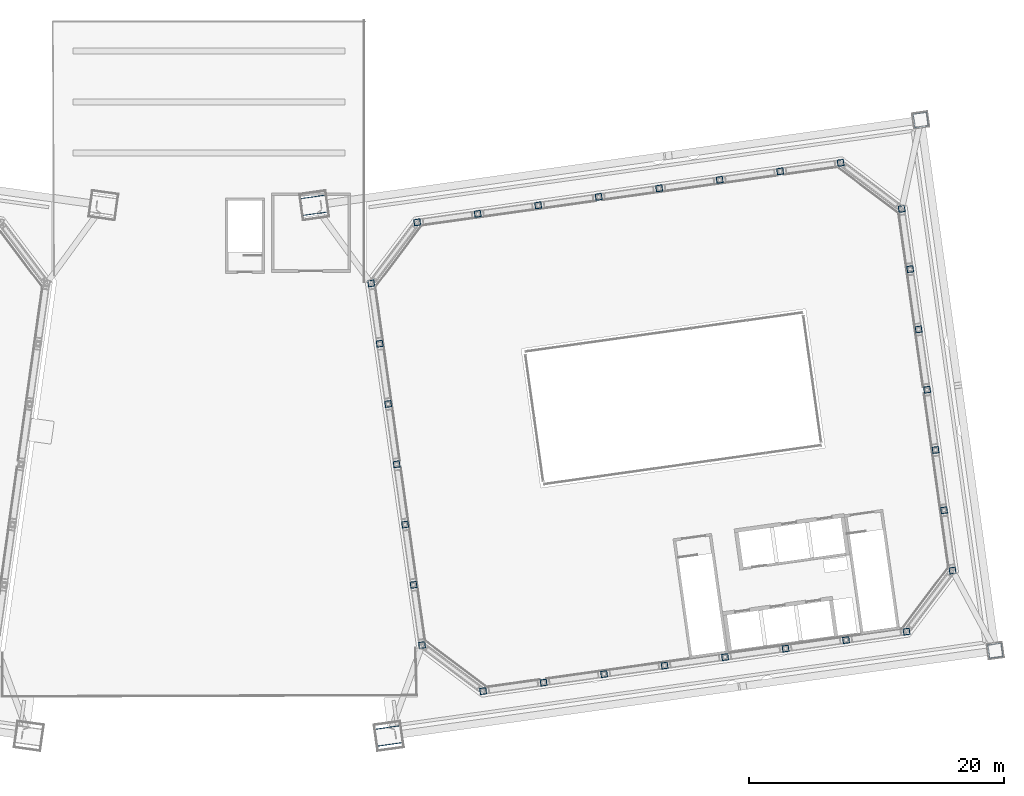
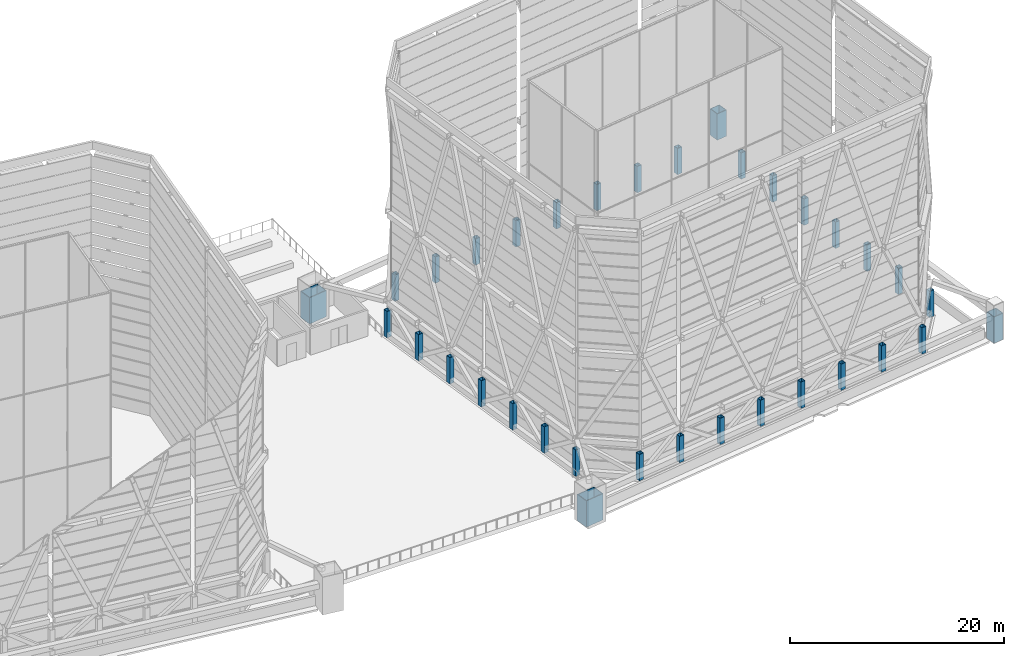
# One storey, part 2 of 45: 34 columns.
"""IFC4 building model written with IfcOpenShell, lengths in metres."""

from ifc_helpers import new_model, si_unit, direction, frame, origin, origin_2d, place, context, subcontext, project, spatial, hollow_rectangle, extrude, material, material_profile, profile_set, type_object, element, save


model = new_model("IFC4")

# Units and contexts
model_context = context("Model", 3, precision=1e-05, world=origin(), true_north=direction((0.0, 1.0)))
body_context = subcontext(model_context, "Body", "Model", "MODEL_VIEW")
ifc_project = project(units=[si_unit("LENGTHUNIT", "METRE"), si_unit("AREAUNIT", "SQUARE_METRE"), si_unit("VOLUMEUNIT", "CUBIC_METRE"), si_unit("PLANEANGLEUNIT", "RADIAN"), si_unit("MASSUNIT", "GRAM", prefix="KILO")], contexts=[model_context])

# Site, building, storey
site_placement = place(None, origin())
site = spatial("IfcSite", under=ifc_project, at=site_placement, CompositionType="ELEMENT")
building_placement = place(site_placement, origin())
building = spatial("IfcBuilding", under=site, at=building_placement, Name="Mirante Cascada Hotel Towers", CompositionType="ELEMENT")
storey_placement = place(building_placement, frame((0.0, 0.0, 269.8)))
storey = spatial("IfcBuildingStorey", under=building, at=storey_placement, Name="Roof garden", CompositionType="ELEMENT", Elevation=269.8)

# Columns
ifc_material_1 = material(Name="Steel ASTM A572 Gr 50", Category="steel")
ifc_material_profile_1 = material_profile(ifc_material_1, hollow_rectangle(XDim=1.1, YDim=1.1, WallThickness=0.05, at=origin_2d()), Name="Box column 1100x1100x50 ASTM A572 Gr 50")
ifc_profile_set_1 = profile_set([ifc_material_profile_1], Name="Steel ASTM A572 Gr 50")
column_type_1 = type_object("IfcColumnType", Name="Box column 1100x1100x50 ASTM A572 Gr 50", PredefinedType="COLUMN", material=ifc_profile_set_1)
for number, where, z_axis, x_axis, name in (
    (1, (55.7951, 22.8316, 0.0), (0.0, 0.0, 1.0), (0.9902681, 0.1391731, 0.0), "Mega column MC3 T2 Roof garden"),
    (2, (61.6404, -18.7596, 0.0), (0.0, 0.0, 1.0), (0.9902681, 0.1391731, 0.0), "Mega column MC4 T2 Roof garden"),
):
    element("IfcColumn", number, at=place(storey_placement, frame(where, z_axis=z_axis, x_axis=x_axis)), inside=storey, type_object=column_type_1, Name=name, PredefinedType="COLUMN", context=body_context, shape_type="SweptSolid", body=[
        extrude(hollow_rectangle(XDim=1.1, YDim=1.1, WallThickness=0.05, at=origin_2d()), origin(), (0.0, 0.0, 1.0), 3.0),
    ])
ifc_material_2 = material(Name="Steel ASTM A572 Gr 50", Category="steel")
ifc_material_profile_2 = material_profile(ifc_material_2, hollow_rectangle(XDim=2.0, YDim=1.4, WallThickness=0.06, at=origin_2d()), Name="Box column 1400x2000x60 ASTM A572 Gr 50")
ifc_profile_set_2 = profile_set([ifc_material_profile_2], Name="Steel ASTM A572 Gr 50")
column_type_2 = type_object("IfcColumnType", Name="Box column 1400x2000x60 ASTM A572 Gr 50", PredefinedType="COLUMN", material=ifc_profile_set_2)
for number, where, z_axis, x_axis, name in (
    (3, (8.2623, 16.1513, 0.0), (0.0, 0.0, 1.0), (0.9902681, 0.1391731, 0.0), "Mega column MC1 T2 Roof garden"),
    (4, (14.1075, -25.4399, 0.0), (0.0, 0.0, 1.0), (0.9902681, 0.1391731, 0.0), "Mega column MC2 T2 Roof garden"),
):
    element("IfcColumn", number, at=place(storey_placement, frame(where, z_axis=z_axis, x_axis=x_axis)), inside=storey, type_object=column_type_2, Name=name, PredefinedType="COLUMN", context=body_context, shape_type="SweptSolid", body=[
        extrude(hollow_rectangle(XDim=2.0, YDim=1.4, WallThickness=0.06, at=origin_2d()), origin(), (0.0, 0.0, 1.0), 3.0),
    ])
ifc_material_3 = material(Name="Steel ASTM A572 Gr 50", Category="steel")
ifc_material_profile_3 = material_profile(ifc_material_3, hollow_rectangle(XDim=0.5, YDim=0.5, WallThickness=0.03, at=origin_2d()), Name="Box column 500x500x30 ASTM A572 Gr 50")
ifc_profile_set_3 = profile_set([ifc_material_profile_3], Name="Steel ASTM A572 Gr 50")
column_type_3 = type_object("IfcColumnType", Name="Box column 500x500x30 ASTM A572 Gr 50", PredefinedType="COLUMN", material=ifc_profile_set_3)
for number, where, z_axis, x_axis, name in (
    (5, (21.4918, -21.928, 0.0), (0.0, 0.0, 1.0), (0.9902681, 0.1391731, 0.0), "CROWN FRAME post T2 1"),
    (6, (16.7071, -18.3225, 0.0), (0.0, 0.0, 1.0), (0.9902681, 0.1391731, 0.0), "CROWN FRAME post T2 2"),
    (7, (16.043, -13.5977, 0.0), (0.0, 0.0, 1.0), (0.9902681, 0.1391731, 0.0), "CROWN FRAME post T2 3"),
    (8, (15.379, -8.8729, 0.0), (0.0, 0.0, 1.0), (0.9902681, 0.1391731, 0.0), "CROWN FRAME post T2 4"),
    (9, (14.715, -4.1482, 0.0), (0.0, 0.0, 1.0), (0.9902681, 0.1391731, 0.0), "CROWN FRAME post T2 5"),
    (10, (14.051, 0.5766, 0.0), (0.0, 0.0, 1.0), (0.9902681, 0.1391731, 0.0), "CROWN FRAME post T2 6"),
    (11, (13.387, 5.3014, 0.0), (0.0, 0.0, 1.0), (0.9902681, 0.1391731, 0.0), "CROWN FRAME post T2 7"),
    (12, (12.7229, 10.0261, 0.0), (0.0, 0.0, 1.0), (0.9902681, 0.1391731, 0.0), "CROWN FRAME post T2 8"),
    (13, (16.3285, 14.8109, 0.0), (0.0, 0.0, 1.0), (0.9902681, 0.1391731, 0.0), "CROWN FRAME post T2 9"),
    (14, (21.0694, 15.4772, 0.0), (0.0, 0.0, 1.0), (0.9902681, 0.1391731, 0.0), "CROWN FRAME post T2 10"),
    (15, (25.8103, 16.1435, 0.0), (0.0, 0.0, 1.0), (0.9902681, 0.1391731, 0.0), "CROWN FRAME post T2 11"),
    (16, (30.5512, 16.8098, 0.0), (0.0, 0.0, 1.0), (0.9902681, 0.1391731, 0.0), "CROWN FRAME post T2 12"),
    (17, (35.2921, 17.4761, 0.0), (0.0, 0.0, 1.0), (0.9902681, 0.1391731, 0.0), "CROWN FRAME post T2 13"),
    (18, (40.033, 18.1423, 0.0), (0.0, 0.0, 1.0), (0.9902681, 0.1391731, 0.0), "CROWN FRAME post T2 14"),
    (19, (44.7739, 18.8086, 0.0), (0.0, 0.0, 1.0), (0.9902681, 0.1391731, 0.0), "CROWN FRAME post T2 15"),
    (20, (49.5148, 19.4749, 0.0), (0.0, 0.0, 1.0), (0.9902681, 0.1391731, 0.0), "CROWN FRAME post T2 16"),
    (21, (54.2995, 15.8694, 0.0), (0.0, 0.0, 1.0), (0.9902681, 0.1391731, 0.0), "CROWN FRAME post T2 17"),
    (22, (54.9636, 11.1446, 0.0), (0.0, 0.0, 1.0), (0.9902681, 0.1391731, 0.0), "CROWN FRAME post T2 18"),
    (23, (55.6276, 6.4198, 0.0), (0.0, 0.0, 1.0), (0.9902681, 0.1391731, 0.0), "CROWN FRAME post T2 19"),
    (24, (56.2916, 1.695, 0.0), (0.0, 0.0, 1.0), (0.9902681, 0.1391731, 0.0), "CROWN FRAME post T2 20"),
    (25, (56.9556, -3.0297, 0.0), (0.0, 0.0, 1.0), (0.9902681, 0.1391731, 0.0), "CROWN FRAME post T2 21"),
    (26, (57.6197, -7.7545, 0.0), (0.0, 0.0, 1.0), (0.9902681, 0.1391731, 0.0), "CROWN FRAME post T2 22"),
    (27, (58.2837, -12.4793, 0.0), (0.0, 0.0, 1.0), (0.9902681, 0.1391731, 0.0), "CROWN FRAME post T2 23"),
    (28, (54.6781, -17.264, 0.0), (0.0, 0.0, 1.0), (0.9902681, 0.1391731, 0.0), "CROWN FRAME post T2 24"),
    (29, (49.9372, -17.9303, 0.0), (0.0, 0.0, 1.0), (0.9902681, 0.1391731, 0.0), "CROWN FRAME post T2 25"),
    (30, (45.1963, -18.5966, 0.0), (0.0, 0.0, 1.0), (0.9902681, 0.1391731, 0.0), "CROWN FRAME post T2 26"),
    (31, (40.4554, -19.2629, 0.0), (0.0, 0.0, 1.0), (0.9902681, 0.1391731, 0.0), "CROWN FRAME post T2 27"),
    (32, (35.7145, -19.9292, 0.0), (0.0, 0.0, 1.0), (0.9902681, 0.1391731, 0.0), "CROWN FRAME post T2 28"),
    (33, (30.9736, -20.5955, 0.0), (0.0, 0.0, 1.0), (0.9902681, 0.1391731, 0.0), "CROWN FRAME post T2 29"),
    (34, (26.2327, -21.2618, 0.0), (0.0, 0.0, 1.0), (0.9902681, 0.1391731, 0.0), "CROWN FRAME post T2 30"),
):
    element("IfcColumn", number, at=place(storey_placement, frame(where, z_axis=z_axis, x_axis=x_axis)), inside=storey, type_object=column_type_3, Name=name, PredefinedType="COLUMN", context=body_context, shape_type="SweptSolid", body=[
        extrude(hollow_rectangle(XDim=0.5, YDim=0.5, WallThickness=0.03, at=origin_2d()), origin(), (0.0, 0.0, 1.0), 3.0),
    ])

save(model, "model.ifc")
